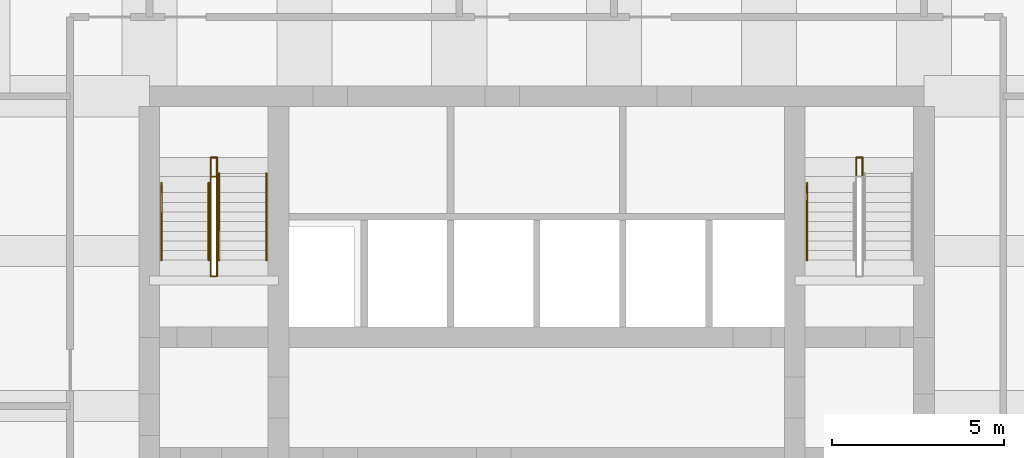
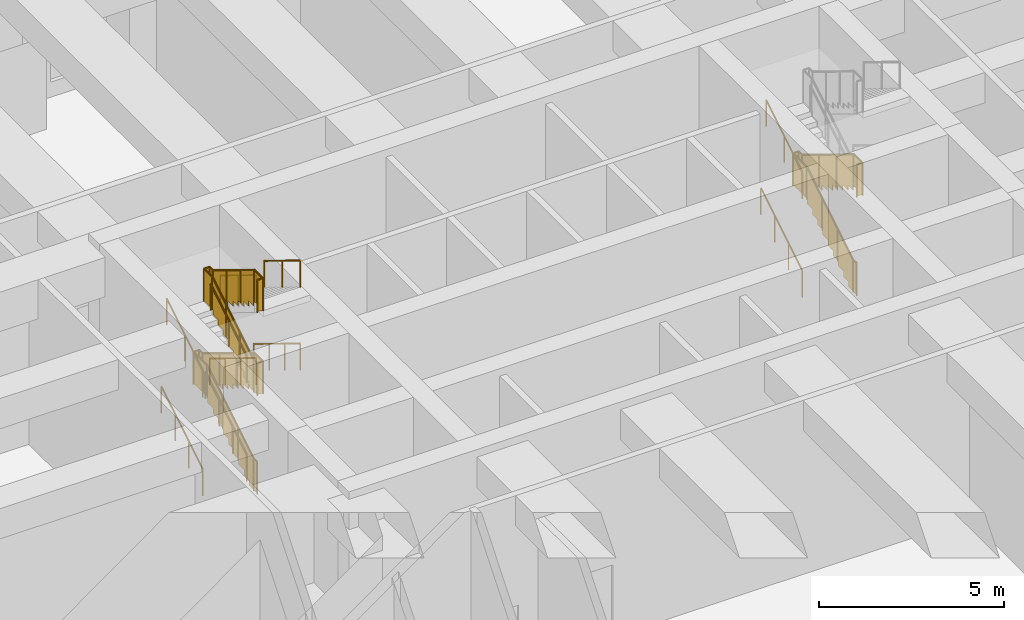
# One storey, part 16 of 17: 16 railings.
"""IFC4 building model written with IfcOpenShell, lengths in metres."""

from ifc_helpers import new_model, si_unit, direction, frame, origin, origin_2d, place, context, subcontext, project, spatial, polyline, circle, outline, extrude, material, type_object, element, save


model = new_model("IFC4")

# Units and contexts
model_context = context("Model", 3, precision=1e-05, world=origin(), true_north=direction((0.0, 1.0)))
body_context = subcontext(model_context, "Body", "Model", "MODEL_VIEW")
ifc_project = project(units=[si_unit("LENGTHUNIT", "METRE"), si_unit("AREAUNIT", "SQUARE_METRE"), si_unit("VOLUMEUNIT", "CUBIC_METRE"), si_unit("PLANEANGLEUNIT", "RADIAN"), si_unit("MASSUNIT", "GRAM", prefix="KILO")], contexts=[model_context])

# Site, building, storey
site_placement = place(None, origin())
site = spatial("IfcSite", under=ifc_project, at=site_placement, CompositionType="ELEMENT")
building_placement = place(site_placement, origin())
building = spatial("IfcBuilding", under=site, at=building_placement, Name="Kilele Tower Hotel", CompositionType="ELEMENT")
storey_placement = place(building_placement, frame((0.0, 0.0, 151.89990234375)))
storey = spatial("IfcBuildingStorey", under=building, at=storey_placement, Name="L39", CompositionType="ELEMENT", Elevation=151.89990234375)

# Railings
ifc_material_1 = material(Name="Steel handrail", Category="steel")
railing_type_1 = type_object("IfcRailingType", Name="Handrail 900", PredefinedType="HANDRAIL", material=ifc_material_1)
for number, where, name in (
    (1, (13.85009765625, 22.239990234375, 0.171630859375), "Handrail ST1 flight 1"),
    (2, (15.22509765625, 22.239990234375, 0.171630859375), "Handrail ST1 flight 1"),
):
    element("IfcRailing", number, at=place(storey_placement, frame(where)), inside=storey, type_object=railing_type_1, Name=name, PredefinedType="HANDRAIL", context=body_context, shape_type="SweptSolid", body=[
        extrude(circle(Radius=0.02490234375, at=origin_2d()), frame((0.0, 0.0, 0.875), z_axis=(0.0, 0.852865665234, 0.522130402356), x_axis=(-1.0, 0.0, 0.0)), (0.0, 0.0, 1.0), 2.62646484375),
        extrude(circle(Radius=0.02001953125, at=origin_2d()), origin(), (0.0, 0.0, 1.0), 0.849853515625),
        extrude(circle(Radius=0.02001953125, at=origin_2d()), frame((0.0, 0.74658203125, 0.45703125)), (0.0, 0.0, 1.0), 0.849853515625),
        extrude(circle(Radius=0.02001953125, at=origin_2d()), frame((0.0, 1.493408203125, 0.914306640625)), (0.0, 0.0, 1.0), 0.849853515625),
        extrude(circle(Radius=0.02001953125, at=origin_2d()), frame((0.0, 2.239990234375, 1.371337890625)), (0.0, 0.0, 1.0), 0.849853515625),
    ])
for number, where, name in (
    (3, (15.52490234375, 24.760009765625, 1.71435546875), "Handrail ST1 flight 2"),
    (4, (16.89990234375, 24.760009765625, 1.71435546875), "Handrail ST1 flight 2"),
):
    element("IfcRailing", number, at=place(storey_placement, frame(where)), inside=storey, type_object=railing_type_1, Name=name, PredefinedType="HANDRAIL", context=body_context, shape_type="SweptSolid", body=[
        extrude(circle(Radius=0.02490234375, at=origin_2d()), frame((0.0, 0.0, 0.875), z_axis=(0.0, -0.852836285881, 0.522178388565), x_axis=(1.0, 0.0, 0.0)), (0.0, 0.0, 1.0), 2.954833984375),
        extrude(circle(Radius=0.02001953125, at=origin_2d()), origin(), (0.0, 0.0, 1.0), 0.849853515625),
        extrude(circle(Radius=0.02001953125, at=origin_2d()), frame((0.0, -0.840087890625, 0.514404296875)), (0.0, 0.0, 1.0), 0.849853515625),
        extrude(circle(Radius=0.02001953125, at=origin_2d()), frame((0.0, -1.679931640625, 1.028564453125)), (0.0, 0.0, 1.0), 0.849853515625),
        extrude(circle(Radius=0.02001953125, at=origin_2d()), frame((0.0, -2.52001953125, 1.54296875)), (0.0, 0.0, 1.0), 0.849853515625),
    ])
for number, where, name in (
    (5, (13.85009765625, 22.239990234375, 3.4287109375), "Handrail ST1 flight 3"),
    (6, (15.22509765625, 22.239990234375, 3.4287109375), "Handrail ST1 flight 3"),
):
    element("IfcRailing", number, at=place(storey_placement, frame(where)), inside=storey, type_object=railing_type_1, Name=name, PredefinedType="HANDRAIL", context=body_context, shape_type="SweptSolid", body=[
        extrude(circle(Radius=0.02490234375, at=origin_2d()), frame((0.0, 0.0, 0.875), z_axis=(0.0, 0.852856131449, 0.522145974847), x_axis=(-1.0, 0.0, 0.0)), (0.0, 0.0, 1.0), 2.298095703125),
        extrude(circle(Radius=0.02001953125, at=origin_2d()), origin(), (0.0, 0.0, 1.0), 0.849853515625),
        extrude(circle(Radius=0.02001953125, at=origin_2d()), frame((0.0, 0.97998046875, 0.60009765625)), (0.0, 0.0, 1.0), 0.849853515625),
        extrude(circle(Radius=0.02001953125, at=origin_2d()), frame((0.0, 1.9599609375, 1.199951171875)), (0.0, 0.0, 1.0), 0.849853515625),
    ])
for number, where, name in (
    (7, (15.52490234375, 24.199951171875, 4.800048828125), "Handrail ST1 flight 4"),
    (8, (16.89990234375, 24.199951171875, 4.800048828125), "Handrail ST1 flight 4"),
):
    element("IfcRailing", number, at=place(storey_placement, frame(where)), inside=storey, type_object=railing_type_1, Name=name, PredefinedType="HANDRAIL", context=body_context, shape_type="SweptSolid", body=[
        extrude(circle(Radius=0.02490234375, at=origin_2d()), frame((0.0, 0.0, 0.875), z_axis=(0.0, -0.852856131449, 0.522145974847), x_axis=(1.0, 0.0, 0.0)), (0.0, 0.0, 1.0), 2.298095703125),
        extrude(circle(Radius=0.02001953125, at=origin_2d()), origin(), (0.0, 0.0, 1.0), 0.849853515625),
        extrude(circle(Radius=0.02001953125, at=origin_2d()), frame((0.0, -0.97998046875, 0.60009765625)), (0.0, 0.0, 1.0), 0.849853515625),
        extrude(circle(Radius=0.02001953125, at=origin_2d()), frame((0.0, -1.9599609375, 1.199951171875)), (0.0, 0.0, 1.0), 0.849853515625),
    ])
railing_1_placement = place(storey_placement, frame((32.60009765625, 22.239990234375, 0.171630859375)))
element("IfcRailing", 9, at=railing_1_placement, inside=storey, type_object=railing_type_1, Name="Handrail ST2 flight 1", PredefinedType="HANDRAIL", context=body_context, shape_type="SweptSolid", body=[
    extrude(circle(Radius=0.02490234375, at=origin_2d()), frame((0.0, 0.0, 0.875), z_axis=(0.0, 0.852865665234, 0.522130402356), x_axis=(-1.0, 0.0, 0.0)), (0.0, 0.0, 1.0), 2.62646484375),
    extrude(circle(Radius=0.02001953125, at=origin_2d()), origin(), (0.0, 0.0, 1.0), 0.849853515625),
    extrude(circle(Radius=0.02001953125, at=origin_2d()), frame((0.0, 0.74658203125, 0.45703125)), (0.0, 0.0, 1.0), 0.849853515625),
    extrude(circle(Radius=0.02001953125, at=origin_2d()), frame((0.0, 1.493408203125, 0.914306640625)), (0.0, 0.0, 1.0), 0.849853515625),
    extrude(circle(Radius=0.02001953125, at=origin_2d()), frame((0.0, 2.239990234375, 1.371337890625)), (0.0, 0.0, 1.0), 0.849853515625),
])
railing_2_placement = place(storey_placement, frame((32.60009765625, 22.239990234375, 3.4287109375)))
element("IfcRailing", 10, at=railing_2_placement, inside=storey, type_object=railing_type_1, Name="Handrail ST2 flight 3", PredefinedType="HANDRAIL", context=body_context, shape_type="SweptSolid", body=[
    extrude(circle(Radius=0.02490234375, at=origin_2d()), frame((0.0, 0.0, 0.875), z_axis=(0.0, 0.852856131449, 0.522145974847), x_axis=(-1.0, 0.0, 0.0)), (0.0, 0.0, 1.0), 2.298095703125),
    extrude(circle(Radius=0.02001953125, at=origin_2d()), origin(), (0.0, 0.0, 1.0), 0.849853515625),
    extrude(circle(Radius=0.02001953125, at=origin_2d()), frame((0.0, 0.97998046875, 0.60009765625)), (0.0, 0.0, 1.0), 0.849853515625),
    extrude(circle(Radius=0.02001953125, at=origin_2d()), frame((0.0, 1.9599609375, 1.199951171875)), (0.0, 0.0, 1.0), 0.849853515625),
])
ifc_material_2 = material(Name="Steel guard", Category="steel")
railing_type_2 = type_object("IfcRailingType", Name="Stair guard 1100", PredefinedType="GUARDRAIL", material=ifc_material_2)
railing_3_placement = place(storey_placement, frame((15.284912109375, 21.77490234375, 0.0)))
element("IfcRailing", 11, at=railing_3_placement, inside=storey, type_object=railing_type_2, Name="Stair well guard ST1 flight 1", PredefinedType="GUARDRAIL", context=body_context, shape_type="SweptSolid", body=[
    extrude(circle(Radius=0.02490234375, at=origin_2d()), frame((0.0, 0.0, 1.0751953125), z_axis=(0.0, 1.0, 0.0), x_axis=(-1.0, 0.0, 0.0)), (0.0, 0.0, 1.0), 0.18505859375),
    extrude(circle(Radius=0.02490234375, at=origin_2d()), frame((0.0, 0.18505859375, 1.0751953125), z_axis=(0.0, 0.852836285881, 0.522178388565), x_axis=(-1.0, 0.0, 0.0)), (0.0, 0.0, 1.0), 2.954833984375),
    extrude(circle(Radius=0.02490234375, at=origin_2d()), frame((0.0, 2.705078125, 2.6181640625), z_axis=(0.0, 1.0, 0.0), x_axis=(-1.0, 0.0, 0.0)), (0.0, 0.0, 1.0), 0.7451171875),
    extrude(circle(Radius=0.02490234375, at=origin_2d()), frame((0.0, 3.4501953125, 2.6181640625), z_axis=(1.0, 0.0, 0.0), x_axis=(0.0, 1.0, 0.0)), (0.0, 0.0, 1.0), 0.18017578125),
    extrude(circle(Radius=0.02490234375, at=origin_2d()), origin(), (0.0, 0.0, 1.0), 1.050048828125),
    extrude(circle(Radius=0.02490234375, at=origin_2d()), frame((0.0, 0.18505859375, 0.0)), (0.0, 0.0, 1.0), 1.050048828125),
    extrude(circle(Radius=0.02490234375, at=origin_2d()), frame((0.0, 1.025146484375, 0.514404296875)), (0.0, 0.0, 1.0), 1.050048828125),
    extrude(circle(Radius=0.02490234375, at=origin_2d()), frame((0.0, 1.864990234375, 1.028564453125)), (0.0, 0.0, 1.0), 1.050048828125),
    extrude(circle(Radius=0.02490234375, at=origin_2d()), frame((0.0, 2.705078125, 1.54296875)), (0.0, 0.0, 1.0), 1.050048828125),
    extrude(circle(Radius=0.02490234375, at=origin_2d()), frame((0.0, 3.4501953125, 1.54296875)), (0.0, 0.0, 1.0), 1.050048828125),
    extrude(circle(Radius=0.02490234375, at=origin_2d()), frame((0.18017578125, 3.4501953125, 1.54296875)), (0.0, 0.0, 1.0), 1.050048828125),
    extrude(outline(polyline([(0.0, 0.030029296875), (0.172607421875, 0.030029296875), (0.172607421875, 1.050048828125), (0.0, 1.050048828125), (0.0, 0.030029296875)])), frame((-0.005859375, 0.0, 0.0), z_axis=(1.0, 0.0, 0.0), x_axis=(0.0, 1.0, 0.0)), (0.0, 0.0, 1.0), 0.011962890625),
    extrude(outline(polyline([(0.012451171875, 0.030029296875), (0.25, 0.030029296875), (0.25, 0.201416015625), (0.530029296875, 0.201416015625), (0.530029296875, 0.372802734375), (0.81005859375, 0.372802734375), (0.81005859375, 0.54443359375), (1.090087890625, 0.54443359375), (1.090087890625, 0.7158203125), (1.369873046875, 0.7158203125), (1.369873046875, 0.88720703125), (1.64990234375, 0.88720703125), (1.64990234375, 1.05859375), (1.929931640625, 1.05859375), (1.929931640625, 1.230224609375), (2.2099609375, 1.230224609375), (2.2099609375, 1.401611328125), (2.489990234375, 1.401611328125), (2.489990234375, 1.572998046875), (2.507568359375, 1.572998046875), (2.507568359375, 2.5810546875), (0.012451171875, 1.053466796875), (0.012451171875, 0.030029296875)])), frame((-0.005859375, 0.18505859375, 0.0), z_axis=(1.0, 0.0, 0.0), x_axis=(0.0, 1.0, 0.0)), (0.0, 0.0, 1.0), 0.011962890625),
    extrude(outline(polyline([(0.012451171875, 0.030029296875), (0.732666015625, 0.030029296875), (0.732666015625, 1.050048828125), (0.012451171875, 1.050048828125), (0.012451171875, 0.030029296875)])), frame((-0.005859375, 2.705078125, 1.54296875), z_axis=(1.0, 0.0, 0.0), x_axis=(0.0, 1.0, 0.0)), (0.0, 0.0, 1.0), 0.011962890625),
    extrude(outline(polyline([(0.012451171875, 0.030029296875), (0.18017578125, 0.030029296875), (0.18017578125, 1.050048828125), (0.012451171875, 1.050048828125), (0.012451171875, 0.030029296875)])), frame((0.0, 3.4560546875, 1.54296875), z_axis=(0.0, -1.0, 0.0), x_axis=(1.0, 0.0, 0.0)), (0.0, 0.0, 1.0), 0.011962890625),
])
railing_4_placement = place(storey_placement, frame((15.465087890625, 25.22509765625, 1.54296875)))
element("IfcRailing", 12, at=railing_4_placement, inside=storey, type_object=railing_type_2, Name="Stair well guard ST1 flight 2", PredefinedType="GUARDRAIL", context=body_context, shape_type="SweptSolid", body=[
    extrude(circle(Radius=0.02490234375, at=origin_2d()), frame((0.0, 0.0, 1.0751953125), z_axis=(0.0, -1.0, 0.0), x_axis=(1.0, 0.0, 0.0)), (0.0, 0.0, 1.0), 0.18505859375),
    extrude(circle(Radius=0.02490234375, at=origin_2d()), frame((0.0, -0.18505859375, 1.0751953125), z_axis=(0.0, -0.852879011914, 0.522108600807), x_axis=(1.0, 0.0, 0.0)), (0.0, 0.0, 1.0), 3.282958984375),
    extrude(circle(Radius=0.02490234375, at=origin_2d()), frame((0.0, -2.985107421875, 2.7890625), z_axis=(0.0, -1.0, 0.0), x_axis=(1.0, 0.0, 0.0)), (0.0, 0.0, 1.0), 0.465087890625),
    extrude(circle(Radius=0.02490234375, at=origin_2d()), frame((0.0, -3.4501953125, 2.7890625), z_axis=(-1.0, 0.0, 0.0), x_axis=(0.0, -1.0, 0.0)), (0.0, 0.0, 1.0), 0.18017578125),
    extrude(circle(Radius=0.02490234375, at=origin_2d()), origin(), (0.0, 0.0, 1.0), 1.050048828125),
    extrude(circle(Radius=0.02490234375, at=origin_2d()), frame((0.0, -0.18505859375, 0.0)), (0.0, 0.0, 1.0), 1.050048828125),
    extrude(circle(Radius=0.02490234375, at=origin_2d()), frame((0.0, -1.118408203125, 0.5712890625)), (0.0, 0.0, 1.0), 1.050048828125),
    extrude(circle(Radius=0.02490234375, at=origin_2d()), frame((0.0, -2.0517578125, 1.142822265625)), (0.0, 0.0, 1.0), 1.050048828125),
    extrude(circle(Radius=0.02490234375, at=origin_2d()), frame((0.0, -2.985107421875, 1.714111328125)), (0.0, 0.0, 1.0), 1.050048828125),
    extrude(circle(Radius=0.02490234375, at=origin_2d()), frame((0.0, -3.4501953125, 1.714111328125)), (0.0, 0.0, 1.0), 1.050048828125),
    extrude(circle(Radius=0.02490234375, at=origin_2d()), frame((-0.18017578125, -3.4501953125, 1.714111328125)), (0.0, 0.0, 1.0), 1.050048828125),
    extrude(outline(polyline([(0.0, 0.030029296875), (0.172607421875, 0.030029296875), (0.172607421875, 1.050048828125), (0.0, 1.050048828125), (0.0, 0.030029296875)])), frame((0.005859375, 0.0, 0.0), z_axis=(-1.0, 0.0, 0.0), x_axis=(0.0, -1.0, 0.0)), (0.0, 0.0, 1.0), 0.011962890625),
    extrude(outline(polyline([(0.012451171875, 0.030029296875), (0.25, 0.030029296875), (0.25, 0.201416015625), (0.530029296875, 0.201416015625), (0.530029296875, 0.372802734375), (0.81005859375, 0.372802734375), (0.81005859375, 0.544189453125), (1.090087890625, 0.544189453125), (1.090087890625, 0.715576171875), (1.3701171875, 0.715576171875), (1.3701171875, 0.88720703125), (1.64990234375, 0.88720703125), (1.64990234375, 1.05859375), (1.929931640625, 1.05859375), (1.929931640625, 1.22998046875), (2.2099609375, 1.22998046875), (2.2099609375, 1.4013671875), (2.489990234375, 1.4013671875), (2.489990234375, 1.57275390625), (2.77001953125, 1.57275390625), (2.77001953125, 1.744140625), (2.78759765625, 1.744140625), (2.78759765625, 2.752197265625), (0.012451171875, 1.053466796875), (0.012451171875, 0.030029296875)])), frame((0.005859375, -0.18505859375, 0.0), z_axis=(-1.0, 0.0, 0.0), x_axis=(0.0, -1.0, 0.0)), (0.0, 0.0, 1.0), 0.011962890625),
    extrude(outline(polyline([(0.012451171875, 0.030029296875), (0.45263671875, 0.030029296875), (0.45263671875, 1.050048828125), (0.012451171875, 1.050048828125), (0.012451171875, 0.030029296875)])), frame((0.005859375, -2.985107421875, 1.714111328125), z_axis=(-1.0, 0.0, 0.0), x_axis=(0.0, -1.0, 0.0)), (0.0, 0.0, 1.0), 0.011962890625),
    extrude(outline(polyline([(0.012451171875, 0.030029296875), (0.18017578125, 0.030029296875), (0.18017578125, 1.050048828125), (0.012451171875, 1.050048828125), (0.012451171875, 0.030029296875)])), frame((0.0, -3.4560546875, 1.714111328125), z_axis=(0.0, 1.0, 0.0), x_axis=(-1.0, 0.0, 0.0)), (0.0, 0.0, 1.0), 0.011962890625),
])
railing_5_placement = place(storey_placement, frame((15.284912109375, 21.77490234375, 3.257080078125)))
element("IfcRailing", 13, at=railing_5_placement, inside=storey, type_object=railing_type_2, Name="Stair well guard ST1 flight 3", PredefinedType="GUARDRAIL", context=body_context, shape_type="SweptSolid", body=[
    extrude(circle(Radius=0.02490234375, at=origin_2d()), frame((0.0, 0.0, 1.0751953125), z_axis=(0.0, 1.0, 0.0), x_axis=(-1.0, 0.0, 0.0)), (0.0, 0.0, 1.0), 0.18505859375),
    extrude(circle(Radius=0.02490234375, at=origin_2d()), frame((0.0, 0.18505859375, 1.0751953125), z_axis=(0.0, 0.852824270871, 0.522198011308), x_axis=(-1.0, 0.0, 0.0)), (0.0, 0.0, 1.0), 2.62646484375),
    extrude(circle(Radius=0.02490234375, at=origin_2d()), frame((0.0, 2.425048828125, 2.44677734375), z_axis=(0.0, 1.0, 0.0), x_axis=(-1.0, 0.0, 0.0)), (0.0, 0.0, 1.0), 0.465087890625),
    extrude(circle(Radius=0.02490234375, at=origin_2d()), frame((0.0, 2.89013671875, 2.44677734375), z_axis=(1.0, 0.0, 0.0), x_axis=(0.0, 1.0, 0.0)), (0.0, 0.0, 1.0), 0.18017578125),
    extrude(circle(Radius=0.02490234375, at=origin_2d()), origin(), (0.0, 0.0, 1.0), 1.050048828125),
    extrude(circle(Radius=0.02490234375, at=origin_2d()), frame((0.0, 0.18505859375, 0.0)), (0.0, 0.0, 1.0), 1.050048828125),
    extrude(circle(Radius=0.02490234375, at=origin_2d()), frame((0.0, 0.931640625, 0.457275390625)), (0.0, 0.0, 1.0), 1.050048828125),
    extrude(circle(Radius=0.02490234375, at=origin_2d()), frame((0.0, 1.678466796875, 0.914306640625)), (0.0, 0.0, 1.0), 1.050048828125),
    extrude(circle(Radius=0.02490234375, at=origin_2d()), frame((0.0, 2.425048828125, 1.37158203125)), (0.0, 0.0, 1.0), 1.050048828125),
    extrude(circle(Radius=0.02490234375, at=origin_2d()), frame((0.0, 2.89013671875, 1.37158203125)), (0.0, 0.0, 1.0), 1.050048828125),
    extrude(circle(Radius=0.02490234375, at=origin_2d()), frame((0.18017578125, 2.89013671875, 1.37158203125)), (0.0, 0.0, 1.0), 1.050048828125),
    extrude(outline(polyline([(0.0, 0.030029296875), (0.172607421875, 0.030029296875), (0.172607421875, 1.050048828125), (0.0, 1.050048828125), (0.0, 0.030029296875)])), frame((-0.005859375, 0.0, 0.0), z_axis=(1.0, 0.0, 0.0), x_axis=(0.0, 1.0, 0.0)), (0.0, 0.0, 1.0), 0.011962890625),
    extrude(outline(polyline([(0.012451171875, 0.030029296875), (0.25, 0.030029296875), (0.25, 0.201416015625), (0.530029296875, 0.201416015625), (0.530029296875, 0.373046875), (0.81005859375, 0.373046875), (0.81005859375, 0.54443359375), (1.08984375, 0.54443359375), (1.08984375, 0.7158203125), (1.369873046875, 0.7158203125), (1.369873046875, 0.88720703125), (1.64990234375, 0.88720703125), (1.64990234375, 1.05859375), (1.929931640625, 1.05859375), (1.929931640625, 1.230224609375), (2.2099609375, 1.230224609375), (2.2099609375, 1.401611328125), (2.2275390625, 1.401611328125), (2.2275390625, 2.40966796875), (0.012451171875, 1.053466796875), (0.012451171875, 0.030029296875)])), frame((-0.005859375, 0.18505859375, 0.0), z_axis=(1.0, 0.0, 0.0), x_axis=(0.0, 1.0, 0.0)), (0.0, 0.0, 1.0), 0.011962890625),
    extrude(outline(polyline([(0.012451171875, 0.030029296875), (0.45263671875, 0.030029296875), (0.45263671875, 1.050048828125), (0.012451171875, 1.050048828125), (0.012451171875, 0.030029296875)])), frame((-0.005859375, 2.425048828125, 1.37158203125), z_axis=(1.0, 0.0, 0.0), x_axis=(0.0, 1.0, 0.0)), (0.0, 0.0, 1.0), 0.011962890625),
    extrude(outline(polyline([(0.012451171875, 0.030029296875), (0.18017578125, 0.030029296875), (0.18017578125, 1.050048828125), (0.012451171875, 1.050048828125), (0.012451171875, 0.030029296875)])), frame((0.0, 2.89599609375, 1.37158203125), z_axis=(0.0, -1.0, 0.0), x_axis=(1.0, 0.0, 0.0)), (0.0, 0.0, 1.0), 0.011962890625),
])
railing_6_placement = place(storey_placement, frame((15.465087890625, 24.6650390625, 4.628662109375)))
element("IfcRailing", 14, at=railing_6_placement, inside=storey, type_object=railing_type_2, Name="Stair well guard ST1 flight 4", PredefinedType="GUARDRAIL", context=body_context, shape_type="SweptSolid", body=[
    extrude(circle(Radius=0.02490234375, at=origin_2d()), frame((0.0, 0.0, 1.0751953125), z_axis=(0.0, -1.0, 0.0), x_axis=(1.0, 0.0, 0.0)), (0.0, 0.0, 1.0), 0.18505859375),
    extrude(circle(Radius=0.02490234375, at=origin_2d()), frame((0.0, -0.18505859375, 1.0751953125), z_axis=(0.0, -0.852865665234, 0.522130402356), x_axis=(1.0, 0.0, 0.0)), (0.0, 0.0, 1.0), 2.62646484375),
    extrude(circle(Radius=0.02490234375, at=origin_2d()), frame((0.0, -2.425048828125, 2.4462890625), z_axis=(0.0, -1.0, 0.0), x_axis=(1.0, 0.0, 0.0)), (0.0, 0.0, 1.0), 0.465087890625),
    extrude(circle(Radius=0.02490234375, at=origin_2d()), frame((0.0, -2.89013671875, 2.4462890625), z_axis=(-1.0, 0.0, 0.0), x_axis=(0.0, -1.0, 0.0)), (0.0, 0.0, 1.0), 0.18017578125),
    extrude(circle(Radius=0.02490234375, at=origin_2d()), origin(), (0.0, 0.0, 1.0), 1.050048828125),
    extrude(circle(Radius=0.02490234375, at=origin_2d()), frame((0.0, -0.18505859375, 0.0)), (0.0, 0.0, 1.0), 1.050048828125),
    extrude(circle(Radius=0.02490234375, at=origin_2d()), frame((0.0, -0.931640625, 0.45703125)), (0.0, 0.0, 1.0), 1.050048828125),
    extrude(circle(Radius=0.02490234375, at=origin_2d()), frame((0.0, -1.678466796875, 0.914306640625)), (0.0, 0.0, 1.0), 1.050048828125),
    extrude(circle(Radius=0.02490234375, at=origin_2d()), frame((0.0, -2.425048828125, 1.371337890625)), (0.0, 0.0, 1.0), 1.050048828125),
    extrude(circle(Radius=0.02490234375, at=origin_2d()), frame((0.0, -2.89013671875, 1.371337890625)), (0.0, 0.0, 1.0), 1.050048828125),
    extrude(circle(Radius=0.02490234375, at=origin_2d()), frame((-0.18017578125, -2.89013671875, 1.371337890625)), (0.0, 0.0, 1.0), 1.050048828125),
    extrude(outline(polyline([(0.0, 0.030029296875), (0.172607421875, 0.030029296875), (0.172607421875, 1.050048828125), (0.0, 1.050048828125), (0.0, 0.030029296875)])), frame((0.005859375, 0.0, 0.0), z_axis=(-1.0, 0.0, 0.0), x_axis=(0.0, -1.0, 0.0)), (0.0, 0.0, 1.0), 0.011962890625),
    extrude(outline(polyline([(0.012451171875, 0.030029296875), (0.25, 0.030029296875), (0.25, 0.201416015625), (0.530029296875, 0.201416015625), (0.530029296875, 0.372802734375), (0.81005859375, 0.372802734375), (0.81005859375, 0.544189453125), (1.08984375, 0.544189453125), (1.08984375, 0.7158203125), (1.369873046875, 0.7158203125), (1.369873046875, 0.88720703125), (1.64990234375, 0.88720703125), (1.64990234375, 1.05859375), (1.929931640625, 1.05859375), (1.929931640625, 1.22998046875), (2.2099609375, 1.22998046875), (2.2099609375, 1.4013671875), (2.2275390625, 1.4013671875), (2.2275390625, 2.409423828125), (0.012451171875, 1.053466796875), (0.012451171875, 0.030029296875)])), frame((0.005859375, -0.18505859375, 0.0), z_axis=(-1.0, 0.0, 0.0), x_axis=(0.0, -1.0, 0.0)), (0.0, 0.0, 1.0), 0.011962890625),
    extrude(outline(polyline([(0.012451171875, 0.030029296875), (0.45263671875, 0.030029296875), (0.45263671875, 1.050048828125), (0.012451171875, 1.050048828125), (0.012451171875, 0.030029296875)])), frame((0.005859375, -2.425048828125, 1.371337890625), z_axis=(-1.0, 0.0, 0.0), x_axis=(0.0, -1.0, 0.0)), (0.0, 0.0, 1.0), 0.011962890625),
    extrude(outline(polyline([(0.012451171875, 0.030029296875), (0.18017578125, 0.030029296875), (0.18017578125, 1.050048828125), (0.012451171875, 1.050048828125), (0.012451171875, 0.030029296875)])), frame((0.0, -2.89599609375, 1.371337890625), z_axis=(0.0, 1.0, 0.0), x_axis=(-1.0, 0.0, 0.0)), (0.0, 0.0, 1.0), 0.011962890625),
])
railing_7_placement = place(storey_placement, frame((34.034912109375, 21.77490234375, 0.0)))
element("IfcRailing", 15, at=railing_7_placement, inside=storey, type_object=railing_type_2, Name="Stair well guard ST2 flight 1", PredefinedType="GUARDRAIL", context=body_context, shape_type="SweptSolid", body=[
    extrude(circle(Radius=0.02490234375, at=origin_2d()), frame((0.0, 0.0, 1.0751953125), z_axis=(0.0, 1.0, 0.0), x_axis=(-1.0, 0.0, 0.0)), (0.0, 0.0, 1.0), 0.18505859375),
    extrude(circle(Radius=0.02490234375, at=origin_2d()), frame((0.0, 0.18505859375, 1.0751953125), z_axis=(0.0, 0.852836285881, 0.522178388565), x_axis=(-1.0, 0.0, 0.0)), (0.0, 0.0, 1.0), 2.954833984375),
    extrude(circle(Radius=0.02490234375, at=origin_2d()), frame((0.0, 2.705078125, 2.6181640625), z_axis=(0.0, 1.0, 0.0), x_axis=(-1.0, 0.0, 0.0)), (0.0, 0.0, 1.0), 0.7451171875),
    extrude(circle(Radius=0.02490234375, at=origin_2d()), frame((0.0, 3.4501953125, 2.6181640625), z_axis=(1.0, 0.0, 0.0), x_axis=(0.0, 1.0, 0.0)), (0.0, 0.0, 1.0), 0.18017578125),
    extrude(circle(Radius=0.02490234375, at=origin_2d()), origin(), (0.0, 0.0, 1.0), 1.050048828125),
    extrude(circle(Radius=0.02490234375, at=origin_2d()), frame((0.0, 0.18505859375, 0.0)), (0.0, 0.0, 1.0), 1.050048828125),
    extrude(circle(Radius=0.02490234375, at=origin_2d()), frame((0.0, 1.025146484375, 0.514404296875)), (0.0, 0.0, 1.0), 1.050048828125),
    extrude(circle(Radius=0.02490234375, at=origin_2d()), frame((0.0, 1.864990234375, 1.028564453125)), (0.0, 0.0, 1.0), 1.050048828125),
    extrude(circle(Radius=0.02490234375, at=origin_2d()), frame((0.0, 2.705078125, 1.54296875)), (0.0, 0.0, 1.0), 1.050048828125),
    extrude(circle(Radius=0.02490234375, at=origin_2d()), frame((0.0, 3.4501953125, 1.54296875)), (0.0, 0.0, 1.0), 1.050048828125),
    extrude(circle(Radius=0.02490234375, at=origin_2d()), frame((0.18017578125, 3.4501953125, 1.54296875)), (0.0, 0.0, 1.0), 1.050048828125),
    extrude(outline(polyline([(0.0, 0.030029296875), (0.172607421875, 0.030029296875), (0.172607421875, 1.050048828125), (0.0, 1.050048828125), (0.0, 0.030029296875)])), frame((-0.005859375, 0.0, 0.0), z_axis=(1.0, 0.0, 0.0), x_axis=(0.0, 1.0, 0.0)), (0.0, 0.0, 1.0), 0.011962890625),
    extrude(outline(polyline([(0.012451171875, 0.030029296875), (0.25, 0.030029296875), (0.25, 0.201416015625), (0.530029296875, 0.201416015625), (0.530029296875, 0.372802734375), (0.81005859375, 0.372802734375), (0.81005859375, 0.54443359375), (1.090087890625, 0.54443359375), (1.090087890625, 0.7158203125), (1.369873046875, 0.7158203125), (1.369873046875, 0.88720703125), (1.64990234375, 0.88720703125), (1.64990234375, 1.05859375), (1.929931640625, 1.05859375), (1.929931640625, 1.230224609375), (2.2099609375, 1.230224609375), (2.2099609375, 1.401611328125), (2.489990234375, 1.401611328125), (2.489990234375, 1.572998046875), (2.507568359375, 1.572998046875), (2.507568359375, 2.5810546875), (0.012451171875, 1.053466796875), (0.012451171875, 0.030029296875)])), frame((-0.005859375, 0.18505859375, 0.0), z_axis=(1.0, 0.0, 0.0), x_axis=(0.0, 1.0, 0.0)), (0.0, 0.0, 1.0), 0.011962890625),
    extrude(outline(polyline([(0.012451171875, 0.030029296875), (0.732666015625, 0.030029296875), (0.732666015625, 1.050048828125), (0.012451171875, 1.050048828125), (0.012451171875, 0.030029296875)])), frame((-0.005859375, 2.705078125, 1.54296875), z_axis=(1.0, 0.0, 0.0), x_axis=(0.0, 1.0, 0.0)), (0.0, 0.0, 1.0), 0.011962890625),
    extrude(outline(polyline([(0.012451171875, 0.030029296875), (0.18017578125, 0.030029296875), (0.18017578125, 1.050048828125), (0.012451171875, 1.050048828125), (0.012451171875, 0.030029296875)])), frame((0.0, 3.4560546875, 1.54296875), z_axis=(0.0, -1.0, 0.0), x_axis=(1.0, 0.0, 0.0)), (0.0, 0.0, 1.0), 0.011962890625),
])
railing_8_placement = place(storey_placement, frame((34.215087890625, 25.22509765625, 1.54296875)))
element("IfcRailing", 16, at=railing_8_placement, inside=storey, type_object=railing_type_2, Name="Stair well guard ST2 flight 2", PredefinedType="GUARDRAIL", context=body_context, shape_type="SweptSolid", body=[
    extrude(circle(Radius=0.02490234375, at=origin_2d()), frame((0.0, 0.0, 1.0751953125), z_axis=(0.0, -1.0, 0.0), x_axis=(1.0, 0.0, 0.0)), (0.0, 0.0, 1.0), 0.18505859375),
    extrude(circle(Radius=0.02490234375, at=origin_2d()), frame((0.0, -0.18505859375, 1.0751953125), z_axis=(0.0, -0.852879011914, 0.522108600807), x_axis=(1.0, 0.0, 0.0)), (0.0, 0.0, 1.0), 3.282958984375),
    extrude(circle(Radius=0.02490234375, at=origin_2d()), frame((0.0, -2.985107421875, 2.7890625), z_axis=(0.0, -1.0, 0.0), x_axis=(1.0, 0.0, 0.0)), (0.0, 0.0, 1.0), 0.465087890625),
    extrude(circle(Radius=0.02490234375, at=origin_2d()), frame((0.0, -3.4501953125, 2.7890625), z_axis=(-1.0, 0.0, 0.0), x_axis=(0.0, -1.0, 0.0)), (0.0, 0.0, 1.0), 0.18017578125),
    extrude(circle(Radius=0.02490234375, at=origin_2d()), origin(), (0.0, 0.0, 1.0), 1.050048828125),
    extrude(circle(Radius=0.02490234375, at=origin_2d()), frame((0.0, -0.18505859375, 0.0)), (0.0, 0.0, 1.0), 1.050048828125),
    extrude(circle(Radius=0.02490234375, at=origin_2d()), frame((0.0, -1.118408203125, 0.5712890625)), (0.0, 0.0, 1.0), 1.050048828125),
    extrude(circle(Radius=0.02490234375, at=origin_2d()), frame((0.0, -2.0517578125, 1.142822265625)), (0.0, 0.0, 1.0), 1.050048828125),
    extrude(circle(Radius=0.02490234375, at=origin_2d()), frame((0.0, -2.985107421875, 1.714111328125)), (0.0, 0.0, 1.0), 1.050048828125),
    extrude(circle(Radius=0.02490234375, at=origin_2d()), frame((0.0, -3.4501953125, 1.714111328125)), (0.0, 0.0, 1.0), 1.050048828125),
    extrude(circle(Radius=0.02490234375, at=origin_2d()), frame((-0.18017578125, -3.4501953125, 1.714111328125)), (0.0, 0.0, 1.0), 1.050048828125),
    extrude(outline(polyline([(0.0, 0.030029296875), (0.172607421875, 0.030029296875), (0.172607421875, 1.050048828125), (0.0, 1.050048828125), (0.0, 0.030029296875)])), frame((0.005859375, 0.0, 0.0), z_axis=(-1.0, 0.0, 0.0), x_axis=(0.0, -1.0, 0.0)), (0.0, 0.0, 1.0), 0.011962890625),
    extrude(outline(polyline([(0.012451171875, 0.030029296875), (0.25, 0.030029296875), (0.25, 0.201416015625), (0.530029296875, 0.201416015625), (0.530029296875, 0.372802734375), (0.81005859375, 0.372802734375), (0.81005859375, 0.544189453125), (1.090087890625, 0.544189453125), (1.090087890625, 0.715576171875), (1.3701171875, 0.715576171875), (1.3701171875, 0.88720703125), (1.64990234375, 0.88720703125), (1.64990234375, 1.05859375), (1.929931640625, 1.05859375), (1.929931640625, 1.22998046875), (2.2099609375, 1.22998046875), (2.2099609375, 1.4013671875), (2.489990234375, 1.4013671875), (2.489990234375, 1.57275390625), (2.77001953125, 1.57275390625), (2.77001953125, 1.744140625), (2.78759765625, 1.744140625), (2.78759765625, 2.752197265625), (0.012451171875, 1.053466796875), (0.012451171875, 0.030029296875)])), frame((0.005859375, -0.18505859375, 0.0), z_axis=(-1.0, 0.0, 0.0), x_axis=(0.0, -1.0, 0.0)), (0.0, 0.0, 1.0), 0.011962890625),
    extrude(outline(polyline([(0.012451171875, 0.030029296875), (0.45263671875, 0.030029296875), (0.45263671875, 1.050048828125), (0.012451171875, 1.050048828125), (0.012451171875, 0.030029296875)])), frame((0.005859375, -2.985107421875, 1.714111328125), z_axis=(-1.0, 0.0, 0.0), x_axis=(0.0, -1.0, 0.0)), (0.0, 0.0, 1.0), 0.011962890625),
    extrude(outline(polyline([(0.012451171875, 0.030029296875), (0.18017578125, 0.030029296875), (0.18017578125, 1.050048828125), (0.012451171875, 1.050048828125), (0.012451171875, 0.030029296875)])), frame((0.0, -3.4560546875, 1.714111328125), z_axis=(0.0, 1.0, 0.0), x_axis=(-1.0, 0.0, 0.0)), (0.0, 0.0, 1.0), 0.011962890625),
])

save(model, "model.ifc")
